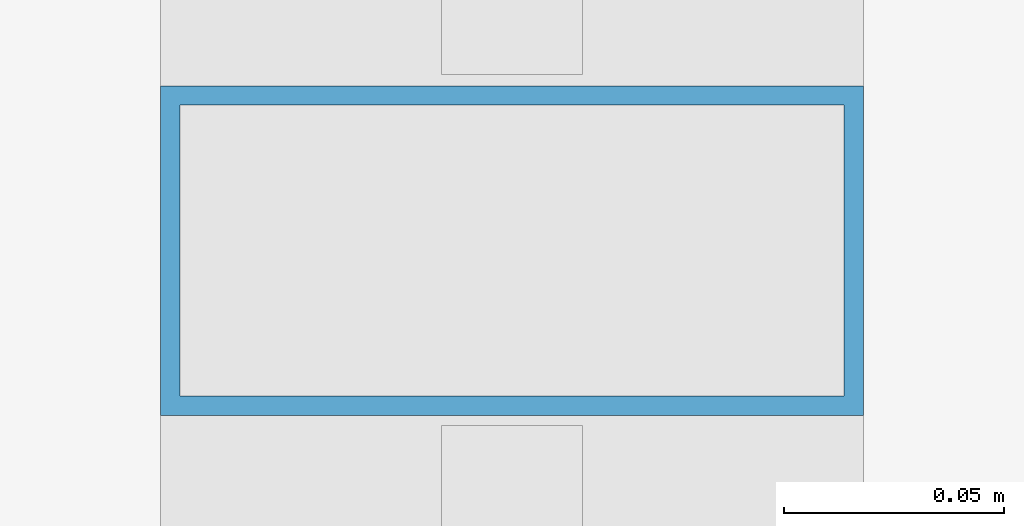
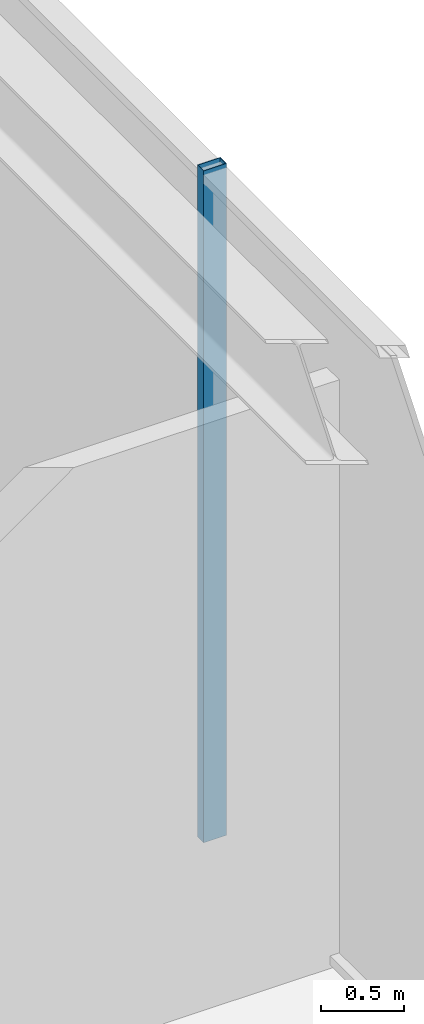
# One storey, part 35 of 49: 1 member, 1 element without a shape of its own.
"""IFC4 building model written with IfcOpenShell, lengths in metres."""

from ifc_helpers import new_model, si_unit, direction, frame, origin, origin_2d, place, context, subcontext, project, spatial, hollow_rectangle, extrude, material, material_profile, profile_set, type_object, element, aggregate, save


model = new_model("IFC4")

# Units and contexts
model_context = context("Model", 3, precision=1e-05, world=origin(), true_north=direction((0.0, 1.0)))
body_context = subcontext(model_context, "Body", "Model", "MODEL_VIEW")
ifc_project = project(units=[si_unit("LENGTHUNIT", "METRE"), si_unit("AREAUNIT", "SQUARE_METRE"), si_unit("VOLUMEUNIT", "CUBIC_METRE"), si_unit("PLANEANGLEUNIT", "RADIAN"), si_unit("MASSUNIT", "GRAM", prefix="KILO")], contexts=[model_context])

# Site, building, storey
site_placement = place(None, origin())
site = spatial("IfcSite", under=ifc_project, at=site_placement, CompositionType="ELEMENT")
building_placement = place(site_placement, origin())
building = spatial("IfcBuilding", under=site, at=building_placement, Name="Kolvaren Belvedere", CompositionType="ELEMENT")
storey_placement = place(building_placement, frame((0.0, 0.0, 10.0)))
storey = spatial("IfcBuildingStorey", under=building, at=storey_placement, Name="L03", CompositionType="ELEMENT", Elevation=10.0)

# Curtain wall, member
ifc_material_1 = material(Name="Anodised pale-metal aluminium AA 6063-T6", Category="aluminium")
curtain_wall_type = type_object("IfcCurtainWallType", Name="CW-POD-A", PredefinedType="NOTDEFINED", material=ifc_material_1)
curtain_wall_placement = place(storey_placement, origin())
curtain_wall = element("IfcCurtainWall", 1, at=curtain_wall_placement, inside=storey, type_object=curtain_wall_type, Name="L03 Unitised Curtain Wall FCW-L03-SEG6", PredefinedType="NOTDEFINED")
ifc_material_2 = material(Name="Anodised pale-metal aluminium AA 6063-T6", Category="aluminium")
ifc_material_profile = material_profile(ifc_material_2, hollow_rectangle(XDim=0.074951171875, YDim=0.159912109375, WallThickness=0.00439453125, at=origin_2d()), Name="ALU-MUL-160X75")
ifc_profile_set = profile_set([ifc_material_profile], Name="Anodised pale-metal aluminium AA 6063-T6")
member_type = type_object("IfcMemberType", Name="CW-MUL-160", PredefinedType="MULLION", material=ifc_profile_set)
member_placement = place(storey_placement, frame((27.8798828125, 14.199951171875, 0.0), z_axis=(0.0, 0.0, 1.0), x_axis=(0.0, 1.0, 0.0)))
member = element("IfcMember", 2, at=member_placement, type_object=member_type, Name="FCW-L03-SEG6 Unitised Mullion 2", PredefinedType="MULLION", context=body_context, shape_type="SweptSolid", body=[
    extrude(hollow_rectangle(XDim=0.074951171875, YDim=0.159912109375, WallThickness=0.00439453125, at=origin_2d()), origin(), (0.0, 0.0, 1.0), 4.919921875),
])
aggregate(curtain_wall, [member])

save(model, "model.ifc")
